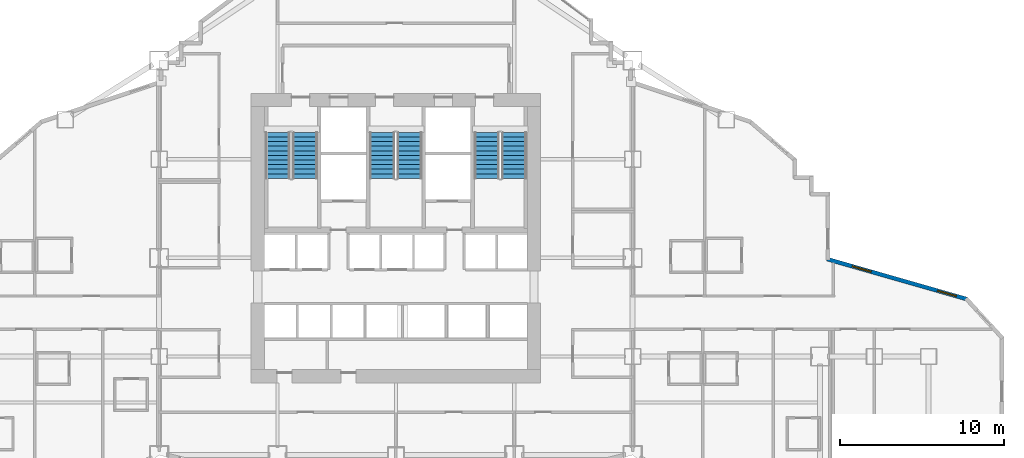
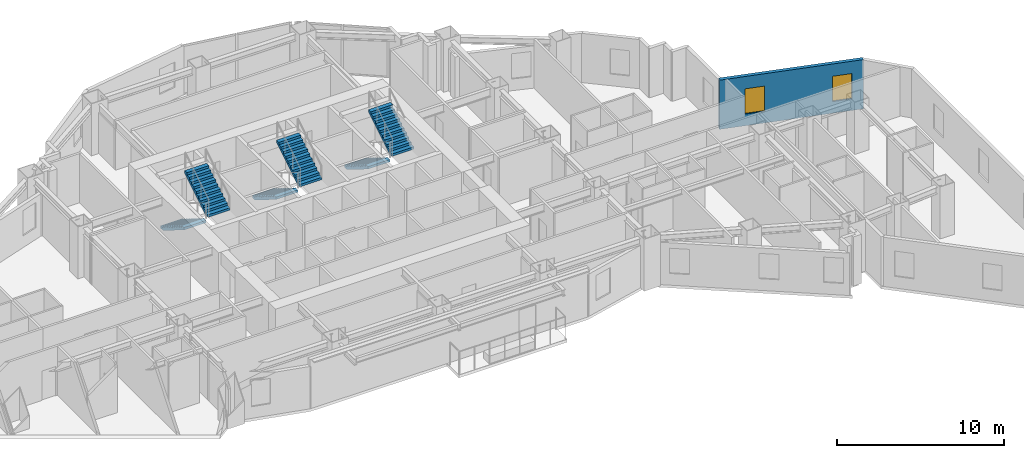
# One storey, part 12 of 17: 6 stair flights, 2 windows, 1 wall, 2 openings, 3 elements without a shape of their own.
"""IFC4 building model written with IfcOpenShell, lengths in metres."""

from ifc_helpers import new_model, si_unit, direction, frame, frame_2d, origin, place, context, subcontext, project, spatial, polyline, rectangle, outline, extrude, material, layer, layer_set, type_object, element, fill, aggregate, save


model = new_model("IFC4")

# Units and contexts
model_context = context("Model", 3, precision=1e-05, world=origin(), true_north=direction((0.0, 1.0)))
body_context = subcontext(model_context, "Body", "Model", "MODEL_VIEW")
ifc_project = project(units=[si_unit("LENGTHUNIT", "METRE"), si_unit("AREAUNIT", "SQUARE_METRE"), si_unit("VOLUMEUNIT", "CUBIC_METRE"), si_unit("PLANEANGLEUNIT", "RADIAN"), si_unit("MASSUNIT", "GRAM", prefix="KILO")], contexts=[model_context])

# Site, building, storey
site_placement = place(None, origin())
site = spatial("IfcSite", under=ifc_project, at=site_placement, CompositionType="ELEMENT")
building_placement = place(site_placement, origin())
building = spatial("IfcBuilding", under=site, at=building_placement, Name="Haolan Belvedere Tower", CompositionType="ELEMENT")
storey_placement = place(building_placement, frame((0.0, 0.0, 59.0)))
storey = spatial("IfcBuildingStorey", under=building, at=storey_placement, Name="L14", CompositionType="ELEMENT", Elevation=59.0)

# Wall, openings, windows
ifc_material_1 = material(Name="Precast concrete C40/50", Category="concrete")
ifc_layer = layer(ifc_material_1, 0.239990234375, Name="Precast concrete C40/50")
ifc_layer_set = layer_set([ifc_layer], Name="Precast concrete C40/50")
wall_type = type_object("IfcWallType", Name="WL-EXT-240", PredefinedType="SOLIDWALL", material=ifc_layer_set)
wall_placement = place(storey_placement, frame((73.167236328125, 31.078857421875, 0.0), z_axis=(0.0, 0.0, 1.0), x_axis=(-0.961351601853, 0.275323623424, 0.0)))
wall = element("IfcWall", 1, at=wall_placement, inside=storey, type_object=wall_type, Name="L14 pale-metal exterior spandrel wall 28.1", PredefinedType="SOLIDWALL", context=body_context, shape_type="SweptSolid", body=[
    extrude(rectangle(XDim=8.88330078125, YDim=0.239990234375, at=frame_2d((4.441650390625, 0.0))), origin(), (0.0, 0.0, 1.0), 3.60009765625),
])
opening_1_placement = place(wall_placement, frame((0.699951171875, 0.0, 0.85009765625)))
opening_1 = element("IfcOpeningElement", 2, at=opening_1_placement, cuts=wall, Name="Opening W-01", PredefinedType="OPENING", context=body_context, shape_type="SweptSolid", body=[
    extrude(rectangle(XDim=1.199951171875, YDim=1.85009765625, at=frame_2d((0.60009765625, 0.925048828125))), frame((0.0, 0.1298828125, 0.0), z_axis=(0.0, -1.0, 0.0), x_axis=(1.0, 0.0, 0.0)), (0.0, 0.0, 1.0), 0.260009765625),
])
opening_2_placement = place(wall_placement, frame((6.10009765625, 0.0, 0.85009765625)))
opening_2 = element("IfcOpeningElement", 3, at=opening_2_placement, cuts=wall, Name="Opening W-01", PredefinedType="OPENING", context=body_context, shape_type="SweptSolid", body=[
    extrude(rectangle(XDim=1.199951171875, YDim=1.85009765625, at=frame_2d((0.60009765625, 0.925048828125))), frame((0.0, 0.1298828125, 0.0), z_axis=(0.0, -1.0, 0.0), x_axis=(1.0, 0.0, 0.0)), (0.0, 0.0, 1.0), 0.260009765625),
])
ifc_material_2 = material(Name="Anodised aluminium 6063-T6 and Low-E glass", Category="aluminium")
window_type = type_object("IfcWindowType", Name="WN-DECO-Z1", PartitioningType="SINGLE_PANEL", PredefinedType="WINDOW", material=ifc_material_2)
window_1_placement = place(opening_1_placement, origin())
window_1 = element("IfcWindow", 4, at=window_1_placement, inside=storey, type_object=window_type, Name="L14 Art Deco chevron window 1", OverallHeight=1.85009765625, OverallWidth=1.199951171875, PartitioningType="SINGLE_PANEL", PredefinedType="WINDOW", context=body_context, shape_type="SweptSolid", body=[
    extrude(rectangle(XDim=1.199951171875, YDim=1.85009765625, at=frame_2d((0.60009765625, 0.925048828125))), frame((0.0, 0.030029296875, 0.0), z_axis=(0.0, -1.0, 0.0), x_axis=(1.0, 0.0, 0.0)), (0.0, 0.0, 1.0), 0.06005859375),
])
fill(opening_1, window_1)
window_2_placement = place(opening_2_placement, origin())
window_2 = element("IfcWindow", 5, at=window_2_placement, inside=storey, type_object=window_type, Name="L14 Art Deco chevron window 2", OverallHeight=1.85009765625, OverallWidth=1.199951171875, PartitioningType="SINGLE_PANEL", PredefinedType="WINDOW", context=body_context, shape_type="SweptSolid", body=[
    extrude(rectangle(XDim=1.199951171875, YDim=1.85009765625, at=frame_2d((0.60009765625, 0.925048828125))), frame((0.0, 0.030029296875, 0.0), z_axis=(0.0, -1.0, 0.0), x_axis=(1.0, 0.0, 0.0)), (0.0, 0.0, 1.0), 0.06005859375),
])
fill(opening_2, window_2)

# Stair, stair flights
ifc_material_3 = material(Name="Concrete C40/50", Category="concrete")
stair_type = type_object("IfcStairType", Name="STR-DL-22R-173", PredefinedType="HALF_TURN_STAIR", material=ifc_material_3)
stair_1_placement = place(storey_placement, origin())
stair_1 = element("IfcStair", 6, at=stair_1_placement, inside=storey, type_object=stair_type, Name="L14 Smokeproof Core Exit Stair ST1", PredefinedType="HALF_TURN_STAIR")
stair_flight_type = type_object("IfcStairFlightType", Name="SFL-DL-11R-173", PredefinedType="STRAIGHT", material=ifc_material_3)
stair_flight_1_placement = place(storey_placement, frame((31.2099609375, 41.22998046875, 0.0), z_axis=(0.0, 0.0, 1.0), x_axis=(0.0, -1.0, 0.0)))
stair_flight_1 = element("IfcStairFlight", 7, at=stair_flight_1_placement, type_object=stair_flight_type, Name="ST1 flight 1", NumberOfRisers=11, NumberOfTreads=10, PredefinedType="STRAIGHT", RiserHeight=0.172727273, TreadLength=0.28, context=body_context, shape_type="SweptSolid", body=[
    extrude(outline(polyline([(0.0, 0.0), (0.0, 0.172607421875), (0.280029296875, 0.172607421875), (0.280029296875, 0.345458984375), (0.56005859375, 0.345458984375), (0.56005859375, 0.51806640625), (0.840087890625, 0.51806640625), (0.840087890625, 0.69091796875), (1.1201171875, 0.69091796875), (1.1201171875, 0.863525390625), (1.39990234375, 0.863525390625), (1.39990234375, 1.036376953125), (1.679931640625, 1.036376953125), (1.679931640625, 1.208984375), (1.9599609375, 1.208984375), (1.9599609375, 1.3818359375), (2.239990234375, 1.3818359375), (2.239990234375, 1.554443359375), (2.52001953125, 1.554443359375), (2.52001953125, 1.727294921875), (2.800048828125, 1.727294921875), (2.800048828125, 1.89990234375), (2.800048828125, 1.551025390625), (0.285400390625, 0.0), (0.0, 0.0)])), frame((0.0, 0.760009765625, 0.0), z_axis=(0.0, -1.0, 0.0), x_axis=(1.0, 0.0, 0.0)), (0.0, 0.0, 1.0), 1.52001953125),
])
stair_flight_2_placement = place(storey_placement, frame((32.8701171875, 38.429931640625, 1.89990234375), z_axis=(0.0, 0.0, 1.0), x_axis=(0.0, 1.0, 0.0)))
stair_flight_2 = element("IfcStairFlight", 8, at=stair_flight_2_placement, type_object=stair_flight_type, Name="ST1 flight 2", NumberOfRisers=11, NumberOfTreads=10, PredefinedType="STRAIGHT", RiserHeight=0.172727273, TreadLength=0.28, context=body_context, shape_type="SweptSolid", body=[
    extrude(outline(polyline([(0.0, 0.0), (0.0, 0.172607421875), (0.280029296875, 0.172607421875), (0.280029296875, 0.345458984375), (0.56005859375, 0.345458984375), (0.56005859375, 0.51806640625), (0.840087890625, 0.51806640625), (0.840087890625, 0.69091796875), (1.1201171875, 0.69091796875), (1.1201171875, 0.863525390625), (1.39990234375, 0.863525390625), (1.39990234375, 1.036376953125), (1.679931640625, 1.036376953125), (1.679931640625, 1.208984375), (1.9599609375, 1.208984375), (1.9599609375, 1.3818359375), (2.239990234375, 1.3818359375), (2.239990234375, 1.554443359375), (2.52001953125, 1.554443359375), (2.52001953125, 1.727294921875), (2.800048828125, 1.727294921875), (2.800048828125, 1.89990234375), (2.800048828125, 1.551025390625), (0.285400390625, 0.0), (0.0, 0.0)])), frame((0.0, 0.760009765625, 0.0), z_axis=(0.0, -1.0, 0.0), x_axis=(1.0, 0.0, 0.0)), (0.0, 0.0, 1.0), 1.52001953125),
])
aggregate(stair_1, [stair_flight_1, stair_flight_2])

stair_2_placement = place(storey_placement, origin())
stair_2 = element("IfcStair", 9, at=stair_2_placement, inside=storey, type_object=stair_type, Name="L14 Smokeproof Core Exit Stair ST3", PredefinedType="HALF_TURN_STAIR")
stair_flight_3_placement = place(storey_placement, frame((37.570068359375, 41.22998046875, 0.0), z_axis=(0.0, 0.0, 1.0), x_axis=(0.0, -1.0, 0.0)))
stair_flight_3 = element("IfcStairFlight", 10, at=stair_flight_3_placement, type_object=stair_flight_type, Name="ST3 flight 1", NumberOfRisers=11, NumberOfTreads=10, PredefinedType="STRAIGHT", RiserHeight=0.172727273, TreadLength=0.28, context=body_context, shape_type="SweptSolid", body=[
    extrude(outline(polyline([(0.0, 0.0), (0.0, 0.172607421875), (0.280029296875, 0.172607421875), (0.280029296875, 0.345458984375), (0.56005859375, 0.345458984375), (0.56005859375, 0.51806640625), (0.840087890625, 0.51806640625), (0.840087890625, 0.69091796875), (1.1201171875, 0.69091796875), (1.1201171875, 0.863525390625), (1.39990234375, 0.863525390625), (1.39990234375, 1.036376953125), (1.679931640625, 1.036376953125), (1.679931640625, 1.208984375), (1.9599609375, 1.208984375), (1.9599609375, 1.3818359375), (2.239990234375, 1.3818359375), (2.239990234375, 1.554443359375), (2.52001953125, 1.554443359375), (2.52001953125, 1.727294921875), (2.800048828125, 1.727294921875), (2.800048828125, 1.89990234375), (2.800048828125, 1.551025390625), (0.285400390625, 0.0), (0.0, 0.0)])), frame((0.0, 0.760009765625, 0.0), z_axis=(0.0, -1.0, 0.0), x_axis=(1.0, 0.0, 0.0)), (0.0, 0.0, 1.0), 1.52001953125),
])
stair_flight_4_placement = place(storey_placement, frame((39.22998046875, 38.429931640625, 1.89990234375), z_axis=(0.0, 0.0, 1.0), x_axis=(0.0, 1.0, 0.0)))
stair_flight_4 = element("IfcStairFlight", 11, at=stair_flight_4_placement, type_object=stair_flight_type, Name="ST3 flight 2", NumberOfRisers=11, NumberOfTreads=10, PredefinedType="STRAIGHT", RiserHeight=0.172727273, TreadLength=0.28, context=body_context, shape_type="SweptSolid", body=[
    extrude(outline(polyline([(0.0, 0.0), (0.0, 0.172607421875), (0.280029296875, 0.172607421875), (0.280029296875, 0.345458984375), (0.56005859375, 0.345458984375), (0.56005859375, 0.51806640625), (0.840087890625, 0.51806640625), (0.840087890625, 0.69091796875), (1.1201171875, 0.69091796875), (1.1201171875, 0.863525390625), (1.39990234375, 0.863525390625), (1.39990234375, 1.036376953125), (1.679931640625, 1.036376953125), (1.679931640625, 1.208984375), (1.9599609375, 1.208984375), (1.9599609375, 1.3818359375), (2.239990234375, 1.3818359375), (2.239990234375, 1.554443359375), (2.52001953125, 1.554443359375), (2.52001953125, 1.727294921875), (2.800048828125, 1.727294921875), (2.800048828125, 1.89990234375), (2.800048828125, 1.551025390625), (0.285400390625, 0.0), (0.0, 0.0)])), frame((0.0, 0.760009765625, 0.0), z_axis=(0.0, -1.0, 0.0), x_axis=(1.0, 0.0, 0.0)), (0.0, 0.0, 1.0), 1.52001953125),
])
aggregate(stair_2, [stair_flight_3, stair_flight_4])

stair_3_placement = place(storey_placement, origin())
stair_3 = element("IfcStair", 12, at=stair_3_placement, inside=storey, type_object=stair_type, Name="L14 Smokeproof Core Exit Stair ST2", PredefinedType="HALF_TURN_STAIR")
stair_flight_5_placement = place(storey_placement, frame((43.929931640625, 41.22998046875, 0.0), z_axis=(0.0, 0.0, 1.0), x_axis=(0.0, -1.0, 0.0)))
stair_flight_5 = element("IfcStairFlight", 13, at=stair_flight_5_placement, type_object=stair_flight_type, Name="ST2 flight 1", NumberOfRisers=11, NumberOfTreads=10, PredefinedType="STRAIGHT", RiserHeight=0.172727273, TreadLength=0.28, context=body_context, shape_type="SweptSolid", body=[
    extrude(outline(polyline([(0.0, 0.0), (0.0, 0.172607421875), (0.280029296875, 0.172607421875), (0.280029296875, 0.345458984375), (0.56005859375, 0.345458984375), (0.56005859375, 0.51806640625), (0.840087890625, 0.51806640625), (0.840087890625, 0.69091796875), (1.1201171875, 0.69091796875), (1.1201171875, 0.863525390625), (1.39990234375, 0.863525390625), (1.39990234375, 1.036376953125), (1.679931640625, 1.036376953125), (1.679931640625, 1.208984375), (1.9599609375, 1.208984375), (1.9599609375, 1.3818359375), (2.239990234375, 1.3818359375), (2.239990234375, 1.554443359375), (2.52001953125, 1.554443359375), (2.52001953125, 1.727294921875), (2.800048828125, 1.727294921875), (2.800048828125, 1.89990234375), (2.800048828125, 1.551025390625), (0.285400390625, 0.0), (0.0, 0.0)])), frame((0.0, 0.760009765625, 0.0), z_axis=(0.0, -1.0, 0.0), x_axis=(1.0, 0.0, 0.0)), (0.0, 0.0, 1.0), 1.52001953125),
])
stair_flight_6_placement = place(storey_placement, frame((45.590087890625, 38.429931640625, 1.89990234375), z_axis=(0.0, 0.0, 1.0), x_axis=(0.0, 1.0, 0.0)))
stair_flight_6 = element("IfcStairFlight", 14, at=stair_flight_6_placement, type_object=stair_flight_type, Name="ST2 flight 2", NumberOfRisers=11, NumberOfTreads=10, PredefinedType="STRAIGHT", RiserHeight=0.172727273, TreadLength=0.28, context=body_context, shape_type="SweptSolid", body=[
    extrude(outline(polyline([(0.0, 0.0), (0.0, 0.172607421875), (0.280029296875, 0.172607421875), (0.280029296875, 0.345458984375), (0.56005859375, 0.345458984375), (0.56005859375, 0.51806640625), (0.840087890625, 0.51806640625), (0.840087890625, 0.69091796875), (1.1201171875, 0.69091796875), (1.1201171875, 0.863525390625), (1.39990234375, 0.863525390625), (1.39990234375, 1.036376953125), (1.679931640625, 1.036376953125), (1.679931640625, 1.208984375), (1.9599609375, 1.208984375), (1.9599609375, 1.3818359375), (2.239990234375, 1.3818359375), (2.239990234375, 1.554443359375), (2.52001953125, 1.554443359375), (2.52001953125, 1.727294921875), (2.800048828125, 1.727294921875), (2.800048828125, 1.89990234375), (2.800048828125, 1.551025390625), (0.285400390625, 0.0), (0.0, 0.0)])), frame((0.0, 0.760009765625, 0.0), z_axis=(0.0, -1.0, 0.0), x_axis=(1.0, 0.0, 0.0)), (0.0, 0.0, 1.0), 1.52001953125),
])
aggregate(stair_3, [stair_flight_5, stair_flight_6])

save(model, "model.ifc")
